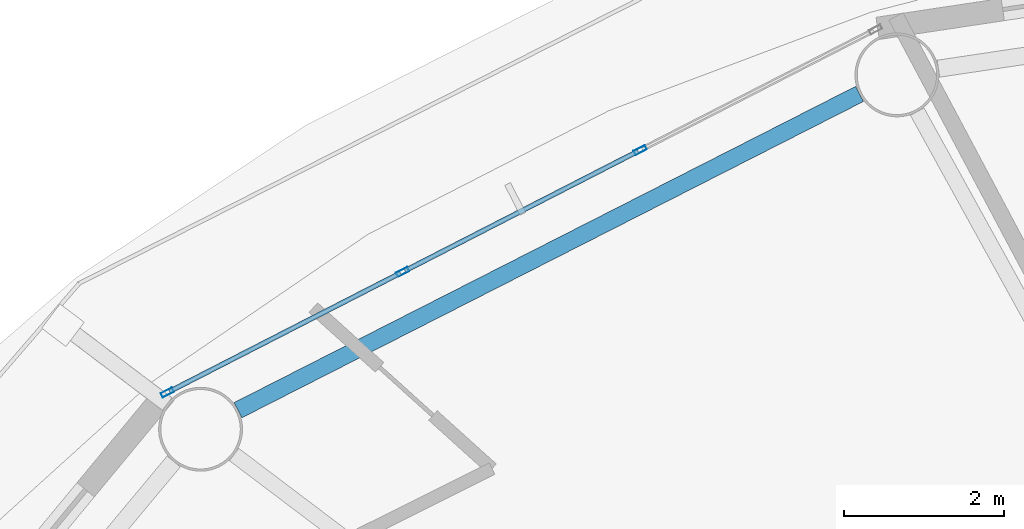
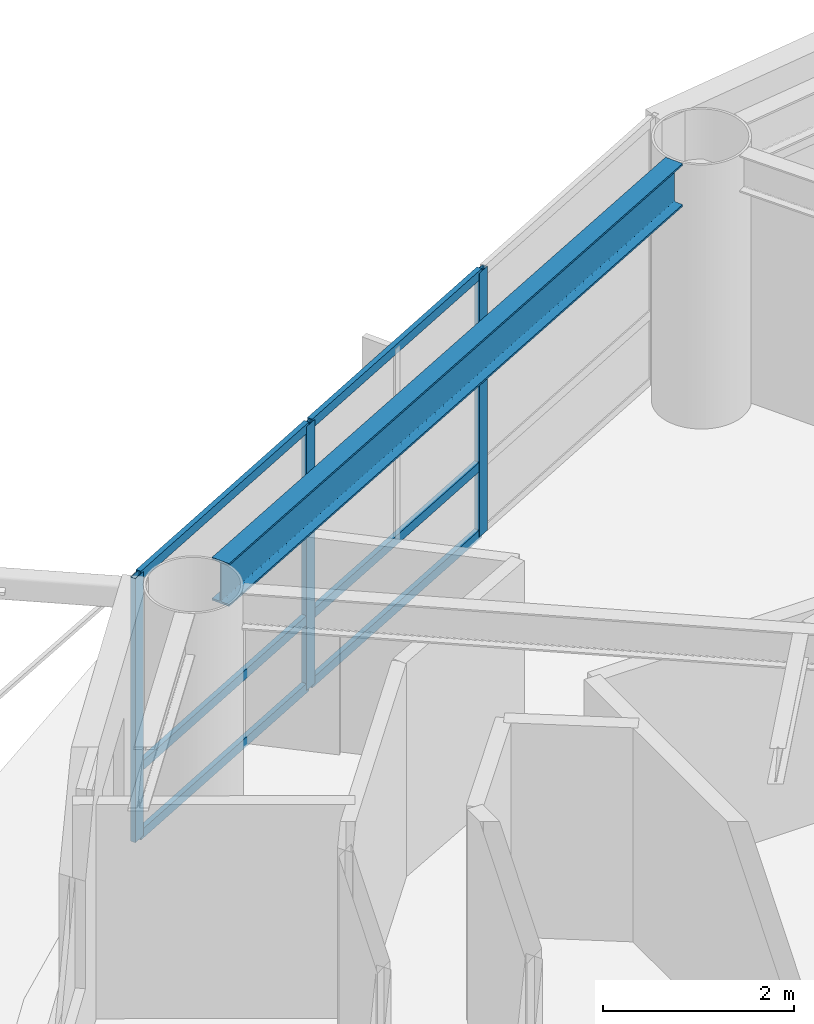
# One storey, part 11 of 28: 9 members, 1 beam, 1 element without a shape of its own.
"""IFC4 building model written with IfcOpenShell, lengths in metres."""

from ifc_helpers import new_model, si_unit, direction, frame, origin, origin_2d, place, context, subcontext, project, spatial, hollow_rectangle, i_section, extrude, material, layer, layer_set, material_profile, profile_set, type_object, element, aggregate, save


model = new_model("IFC4")

# Units and contexts
model_context = context("Model", 3, precision=1e-05, world=origin(), true_north=direction((0.0, 1.0)))
body_context = subcontext(model_context, "Body", "Model", "MODEL_VIEW")
ifc_project = project(units=[si_unit("LENGTHUNIT", "METRE"), si_unit("AREAUNIT", "SQUARE_METRE"), si_unit("VOLUMEUNIT", "CUBIC_METRE"), si_unit("PLANEANGLEUNIT", "RADIAN"), si_unit("MASSUNIT", "GRAM", prefix="KILO")], contexts=[model_context])

# Site, building, storey
site_placement = place(None, origin())
site = spatial("IfcSite", under=ifc_project, at=site_placement, CompositionType="ELEMENT")
building_placement = place(site_placement, origin())
building = spatial("IfcBuilding", under=site, at=building_placement, Name="Sarneth Arch Tower", CompositionType="ELEMENT")
storey_placement = place(building_placement, frame((0.0, 0.0, 154.199951171875)))
storey = spatial("IfcBuildingStorey", under=building, at=storey_placement, Name="L38", CompositionType="ELEMENT", Elevation=154.199951171875)

# Beam
ifc_material_1 = material(Name="Steel S355", Category="steel")
ifc_material_profile_1 = material_profile(ifc_material_1, i_section(OverallWidth=0.214111328125, OverallDepth=0.549072265625, WebThickness=0.0146484375, FlangeThickness=0.023681640625, FilletRadius=0.01806640625, at=origin_2d()), Name="W530x138")
ifc_profile_set_1 = profile_set([ifc_material_profile_1], Name="Steel S355")
beam_type = type_object("IfcBeamType", Name="BM-RAD-530A", PredefinedType="BEAM", material=ifc_profile_set_1)
beam_placement = place(storey_placement, frame((37.1103515625, 60.6552734375, 3.10546875), z_axis=(-0.891254220899, -0.453504039374, 0.0), x_axis=(0.453504039374, -0.891254220899, 0.0)))
element("IfcBeam", 1, at=beam_placement, inside=storey, type_object=beam_type, Name="L38 Perimeter spandrel beam 06", PredefinedType="BEAM", context=body_context, shape_type="SweptSolid", body=[
    extrude(i_section(OverallWidth=0.214111328125, OverallDepth=0.549072265625, WebThickness=0.0146484375, FlangeThickness=0.023681640625, FilletRadius=0.01806640625, at=origin_2d()), origin(), (0.0, 0.0, 1.0), 8.724853515625),
])

# Curtain wall, members
ifc_material_2 = material(Name="Anodised aluminium Type AA25 and solar-control low-e laminated IGU", Category="aluminium")
ifc_layer = layer(ifc_material_2, 0.169921875)
ifc_layer_set = layer_set([ifc_layer], Name="Anodised aluminium Type AA25 and solar-control low-e laminated IGU")
curtain_wall_type = type_object("IfcCurtainWallType", Name="CW-RES-MID", PredefinedType="NOTDEFINED", material=ifc_layer_set)
curtain_wall_placement = place(storey_placement, origin())
curtain_wall = element("IfcCurtainWall", 2, at=curtain_wall_placement, inside=storey, type_object=curtain_wall_type, Name="L38 Unitised curtain wall facet 06", PredefinedType="NOTDEFINED")
ifc_material_3 = material(Name="Anodised Aluminium 6063-T6", Category="aluminium")
ifc_material_profile_2 = material_profile(ifc_material_3, hollow_rectangle(XDim=0.06005859375, YDim=0.159912109375, WallThickness=0.00390625, at=origin_2d()), Name="AL-MULL-160x60x4")
ifc_profile_set_2 = profile_set([ifc_material_profile_2], Name="Anodised Aluminium 6063-T6")
member_type_1 = type_object("IfcMemberType", Name="CW-MULLION", PredefinedType="MULLION", material=ifc_profile_set_2)
member_1_placement = place(storey_placement, frame((34.365966796875, 59.9521484375, 0.0), z_axis=(0.0, 0.0, 1.0), x_axis=(0.456208470329, -0.88987293003, 0.0)))
member_1 = element("IfcMember", 3, at=member_1_placement, type_object=member_type_1, Name="CW-SYS-5 mullion 2", PredefinedType="MULLION", context=body_context, shape_type="SweptSolid", body=[
    extrude(hollow_rectangle(XDim=0.06005859375, YDim=0.159912109375, WallThickness=0.00390625, at=origin_2d()), origin(), (0.0, 0.0, 1.0), 3.380126953125),
])
member_2_placement = place(storey_placement, frame((31.39501953125, 58.428955078125, 0.0), z_axis=(0.0, 0.0, 1.0), x_axis=(0.456208470329, -0.88987293003, 0.0)))
member_2 = element("IfcMember", 4, at=member_2_placement, type_object=member_type_1, Name="CW-SYS-5 mullion 3", PredefinedType="MULLION", context=body_context, shape_type="SweptSolid", body=[
    extrude(hollow_rectangle(XDim=0.06005859375, YDim=0.159912109375, WallThickness=0.00390625, at=origin_2d()), origin(), (0.0, 0.0, 1.0), 3.380126953125),
])
member_3_placement = place(storey_placement, frame((28.450439453125, 56.91943359375, 0.0), z_axis=(0.0, 0.0, 1.0), x_axis=(0.456208470329, -0.88987293003, 0.0)))
member_3 = element("IfcMember", 5, at=member_3_placement, type_object=member_type_1, Name="CW-SYS-5 mullion 4", PredefinedType="MULLION", context=body_context, shape_type="SweptSolid", body=[
    extrude(hollow_rectangle(XDim=0.06005859375, YDim=0.159912109375, WallThickness=0.00390625, at=origin_2d()), origin(), (0.0, 0.0, 1.0), 3.380126953125),
])
ifc_material_4 = material(Name="Anodised Aluminium 6063-T6", Category="aluminium")
ifc_material_profile_3 = material_profile(ifc_material_4, hollow_rectangle(XDim=0.06005859375, YDim=0.1201171875, WallThickness=0.00390625, at=origin_2d()), Name="AL-TRAN-120x60x4")
ifc_profile_set_3 = profile_set([ifc_material_profile_3], Name="Anodised Aluminium 6063-T6")
member_type_2 = type_object("IfcMemberType", Name="CW-TRANSOM", PredefinedType="USERDEFINED", material=ifc_profile_set_3)
member_4_placement = place(storey_placement, frame((34.33935546875, 59.9384765625, 0.030029296875), z_axis=(-0.889869396751, -0.45621536222, 0.0), x_axis=(0.45621536222, -0.889869396751, 0.0)))
member_4 = element("IfcMember", 6, at=member_4_placement, type_object=member_type_2, Name="CW-SYS-5 transom 2.1", ObjectType="TRANSOM", PredefinedType="USERDEFINED", context=body_context, shape_type="SweptSolid", body=[
    extrude(hollow_rectangle(XDim=0.06005859375, YDim=0.1201171875, WallThickness=0.00390625, at=origin_2d()), origin(), (0.0, 0.0, 1.0), 3.27880859375),
])
member_5_placement = place(storey_placement, frame((34.33935546875, 59.9384765625, 0.900146484375), z_axis=(-0.889869396751, -0.45621536222, 0.0), x_axis=(0.45621536222, -0.889869396751, 0.0)))
member_5 = element("IfcMember", 7, at=member_5_placement, type_object=member_type_2, Name="CW-SYS-5 transom 2.2", ObjectType="TRANSOM", PredefinedType="USERDEFINED", context=body_context, shape_type="SweptSolid", body=[
    extrude(hollow_rectangle(XDim=0.06005859375, YDim=0.1201171875, WallThickness=0.00390625, at=origin_2d()), origin(), (0.0, 0.0, 1.0), 3.27880859375),
])
member_6_placement = place(storey_placement, frame((34.33935546875, 59.9384765625, 3.35009765625), z_axis=(-0.889869396751, -0.45621536222, 0.0), x_axis=(0.45621536222, -0.889869396751, 0.0)))
member_6 = element("IfcMember", 8, at=member_6_placement, type_object=member_type_2, Name="CW-SYS-5 transom 2.3", ObjectType="TRANSOM", PredefinedType="USERDEFINED", context=body_context, shape_type="SweptSolid", body=[
    extrude(hollow_rectangle(XDim=0.06005859375, YDim=0.1201171875, WallThickness=0.00390625, at=origin_2d()), origin(), (0.0, 0.0, 1.0), 3.27880859375),
])
member_7_placement = place(storey_placement, frame((31.3681640625, 58.415283203125, 0.030029296875), z_axis=(-0.889857362344, -0.456238835131, 0.0), x_axis=(0.456238835131, -0.889857362344, 0.0)))
member_7 = element("IfcMember", 9, at=member_7_placement, type_object=member_type_2, Name="CW-SYS-5 transom 3.1", ObjectType="TRANSOM", PredefinedType="USERDEFINED", context=body_context, shape_type="SweptSolid", body=[
    extrude(hollow_rectangle(XDim=0.06005859375, YDim=0.1201171875, WallThickness=0.00390625, at=origin_2d()), origin(), (0.0, 0.0, 1.0), 3.248779296875),
])
member_8_placement = place(storey_placement, frame((31.3681640625, 58.415283203125, 0.900146484375), z_axis=(-0.889857362344, -0.456238835131, 0.0), x_axis=(0.456238835131, -0.889857362344, 0.0)))
member_8 = element("IfcMember", 10, at=member_8_placement, type_object=member_type_2, Name="CW-SYS-5 transom 3.2", ObjectType="TRANSOM", PredefinedType="USERDEFINED", context=body_context, shape_type="SweptSolid", body=[
    extrude(hollow_rectangle(XDim=0.06005859375, YDim=0.1201171875, WallThickness=0.00390625, at=origin_2d()), origin(), (0.0, 0.0, 1.0), 3.248779296875),
])
member_9_placement = place(storey_placement, frame((31.3681640625, 58.415283203125, 3.35009765625), z_axis=(-0.889857362344, -0.456238835131, 0.0), x_axis=(0.456238835131, -0.889857362344, 0.0)))
member_9 = element("IfcMember", 11, at=member_9_placement, type_object=member_type_2, Name="CW-SYS-5 transom 3.3", ObjectType="TRANSOM", PredefinedType="USERDEFINED", context=body_context, shape_type="SweptSolid", body=[
    extrude(hollow_rectangle(XDim=0.06005859375, YDim=0.1201171875, WallThickness=0.00390625, at=origin_2d()), origin(), (0.0, 0.0, 1.0), 3.248779296875),
])
aggregate(curtain_wall, [member_1, member_2, member_3, member_4, member_5, member_6, member_7, member_8, member_9])

save(model, "model.ifc")
